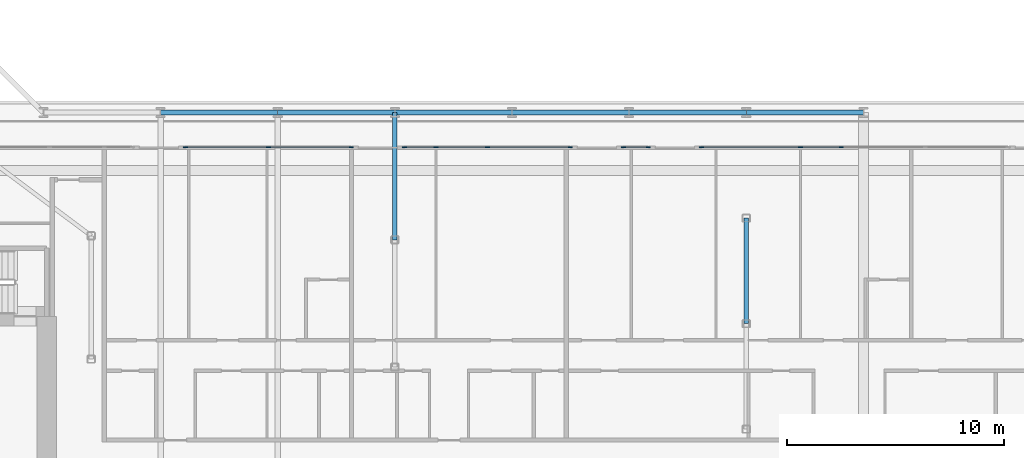
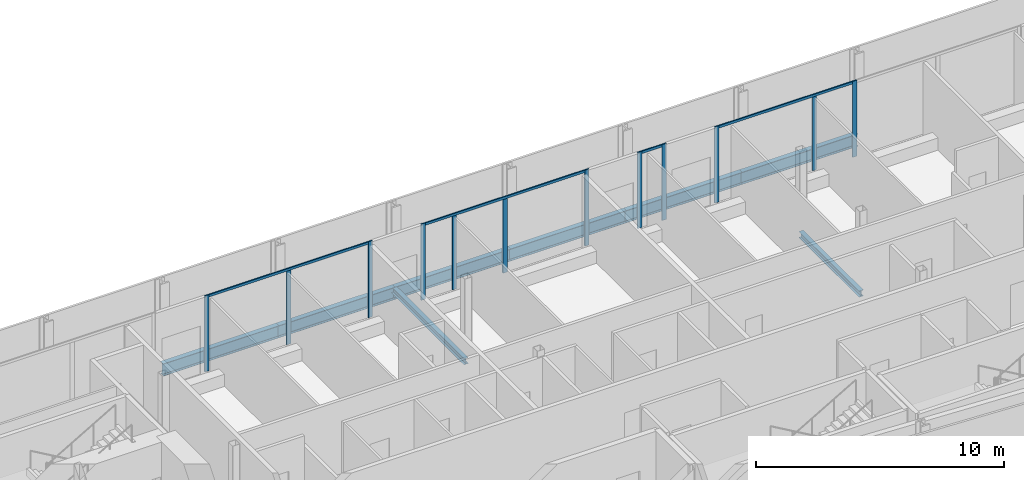
# One storey, part 6 of 27: 16 members, 8 beams, 4 elements without a shape of their own.
"""IFC4 building model written with IfcOpenShell, lengths in metres."""

from ifc_helpers import new_model, si_unit, direction, frame, origin, origin_2d, place, context, subcontext, project, spatial, rectangle, i_section, extrude, material, layer, layer_set, material_profile, profile_set, type_object, element, aggregate, save


model = new_model("IFC4")

# Units and contexts
model_context = context("Model", 3, precision=1e-05, world=origin(), true_north=direction((0.0, 1.0)))
body_context = subcontext(model_context, "Body", "Model", "MODEL_VIEW")
ifc_project = project(units=[si_unit("LENGTHUNIT", "METRE"), si_unit("AREAUNIT", "SQUARE_METRE"), si_unit("VOLUMEUNIT", "CUBIC_METRE"), si_unit("PLANEANGLEUNIT", "RADIAN"), si_unit("MASSUNIT", "GRAM", prefix="KILO")], contexts=[model_context])

# Site, building, storey
site_placement = place(None, origin())
site = spatial("IfcSite", under=ifc_project, at=site_placement, CompositionType="ELEMENT")
building_placement = place(site_placement, origin())
building = spatial("IfcBuilding", under=site, at=building_placement, Name="Kheshtan School and Residences Tower", CompositionType="ELEMENT")
storey_placement = place(building_placement, frame((0.0, 0.0, 98.0)))
storey = spatial("IfcBuildingStorey", under=building, at=storey_placement, Name="L22", CompositionType="ELEMENT", Elevation=98.0)

# Beams
ifc_material_1 = material(Name="Steel ASTM A992 Grade 50", Category="steel")
ifc_material_profile_1 = material_profile(ifc_material_1, i_section(OverallWidth=0.202880859375, OverallDepth=0.302978515625, WebThickness=0.007568359375, FlangeThickness=0.01318359375, FilletRadius=0.009033203125, at=origin_2d()), Name="W310x60")
ifc_profile_set_1 = profile_set([ifc_material_profile_1], Name="Steel ASTM A992 Grade 50")
beam_type_1 = type_object("IfcBeamType", Name="Beam FB1 W310x60 ASTM A992 Grade 50", PredefinedType="BEAM", material=ifc_profile_set_1)
beam_1_placement = place(storey_placement, frame((69.199951171875, 45.60009765625, -0.301513671875), z_axis=(0.0, -1.0, 0.0), x_axis=(1.0, 0.0, 0.0)))
element("IfcBeam", 1, at=beam_1_placement, inside=storey, type_object=beam_type_1, Name="Floor beam C064", PredefinedType="BEAM", context=body_context, shape_type="SweptSolid", body=[
    extrude(i_section(OverallWidth=0.202880859375, OverallDepth=0.302978515625, WebThickness=0.007568359375, FlangeThickness=0.01318359375, FilletRadius=0.009033203125, at=origin_2d()), origin(), (0.0, 0.0, 1.0), 5.8681640625),
])
beam_2_placement = place(storey_placement, frame((85.39990234375, 40.735107421875, -0.301513671875), z_axis=(0.0, -1.0, 0.0), x_axis=(1.0, 0.0, 0.0)))
element("IfcBeam", 2, at=beam_2_placement, inside=storey, type_object=beam_type_1, Name="Floor beam IC", PredefinedType="BEAM", context=body_context, shape_type="SweptSolid", body=[
    extrude(i_section(OverallWidth=0.202880859375, OverallDepth=0.302978515625, WebThickness=0.007568359375, FlangeThickness=0.01318359375, FilletRadius=0.009033203125, at=origin_2d()), origin(), (0.0, 0.0, 1.0), 4.864990234375),
])
ifc_material_profile_2 = material_profile(ifc_material_1, i_section(OverallWidth=0.22802734375, OverallDepth=0.60302734375, WebThickness=0.010498046875, FlangeThickness=0.014892578125, FilletRadius=0.013427734375, at=origin_2d()), Name="W610x101")
ifc_profile_set_2 = profile_set([ifc_material_profile_2], Name="Steel ASTM A992 Grade 50")
beam_type_2 = type_object("IfcBeamType", Name="Beam SP2 W610x101 ASTM A992 Grade 50", PredefinedType="BEAM", material=ifc_profile_set_2)
beam_3_placement = place(storey_placement, frame((58.39990234375, 45.60009765625, -0.451416015625), z_axis=(1.0, 0.0, 0.0), x_axis=(0.0, 1.0, 0.0)))
element("IfcBeam", 3, at=beam_3_placement, inside=storey, type_object=beam_type_2, Name="Spandrel beam C062-C063", PredefinedType="BEAM", context=body_context, shape_type="SweptSolid", body=[
    extrude(i_section(OverallWidth=0.22802734375, OverallDepth=0.60302734375, WebThickness=0.010498046875, FlangeThickness=0.014892578125, FilletRadius=0.013427734375, at=origin_2d()), origin(), (0.0, 0.0, 1.0), 5.400146484375),
])
beam_4_placement = place(storey_placement, frame((63.800048828125, 45.60009765625, -0.451416015625), z_axis=(1.0, 0.0, 0.0), x_axis=(0.0, 1.0, 0.0)))
element("IfcBeam", 4, at=beam_4_placement, inside=storey, type_object=beam_type_2, Name="Spandrel beam C063-C064", PredefinedType="BEAM", context=body_context, shape_type="SweptSolid", body=[
    extrude(i_section(OverallWidth=0.22802734375, OverallDepth=0.60302734375, WebThickness=0.010498046875, FlangeThickness=0.014892578125, FilletRadius=0.013427734375, at=origin_2d()), origin(), (0.0, 0.0, 1.0), 5.39990234375),
])
beam_5_placement = place(storey_placement, frame((69.199951171875, 45.60009765625, -0.451416015625), z_axis=(1.0, 0.0, 0.0), x_axis=(0.0, 1.0, 0.0)))
element("IfcBeam", 5, at=beam_5_placement, inside=storey, type_object=beam_type_2, Name="Spandrel beam C064-C065", PredefinedType="BEAM", context=body_context, shape_type="SweptSolid", body=[
    extrude(i_section(OverallWidth=0.22802734375, OverallDepth=0.60302734375, WebThickness=0.010498046875, FlangeThickness=0.014892578125, FilletRadius=0.013427734375, at=origin_2d()), origin(), (0.0, 0.0, 1.0), 5.400146484375),
])
for number, where, z_axis, x_axis, name in (
    (6, (74.60009765625, 45.60009765625, -0.451416015625), (1.0, 0.0, 0.0), (0.0, 1.0, 0.0), "Spandrel beam C065-C066"),
    (7, (80.0, 45.60009765625, -0.451416015625), (1.0, 0.0, 0.0), (0.0, 1.0, 0.0), "Spandrel beam C066-C067"),
):
    element("IfcBeam", number, at=place(storey_placement, frame(where, z_axis=z_axis, x_axis=x_axis)), inside=storey, type_object=beam_type_2, Name=name, PredefinedType="BEAM", context=body_context, shape_type="SweptSolid", body=[
        extrude(i_section(OverallWidth=0.22802734375, OverallDepth=0.60302734375, WebThickness=0.010498046875, FlangeThickness=0.014892578125, FilletRadius=0.013427734375, at=origin_2d()), origin(), (0.0, 0.0, 1.0), 5.39990234375),
    ])
beam_6_placement = place(storey_placement, frame((85.39990234375, 45.60009765625, -0.451416015625), z_axis=(1.0, 0.0, 0.0), x_axis=(0.0, 1.0, 0.0)))
element("IfcBeam", 8, at=beam_6_placement, inside=storey, type_object=beam_type_2, Name="Spandrel beam C067-C068", PredefinedType="BEAM", context=body_context, shape_type="SweptSolid", body=[
    extrude(i_section(OverallWidth=0.22802734375, OverallDepth=0.60302734375, WebThickness=0.010498046875, FlangeThickness=0.014892578125, FilletRadius=0.013427734375, at=origin_2d()), origin(), (0.0, 0.0, 1.0), 5.400146484375),
])

# Curtain wall, members
ifc_material_2 = material(Name="Clear low-e glass in thermally broken aluminium frame", Category="aluminium")
ifc_layer = layer(ifc_material_2, 0.199951171875)
ifc_layer_set = layer_set([ifc_layer], Name="Curtain wall CW-L")
curtain_wall_type = type_object("IfcCurtainWallType", Name="Curtain wall CW-L", PredefinedType="NOTDEFINED", material=ifc_layer_set)
curtain_wall_1_placement = place(storey_placement, origin())
curtain_wall_1 = element("IfcCurtainWall", 9, at=curtain_wall_1_placement, inside=storey, type_object=curtain_wall_type, Name="Curtain wall CWL8", PredefinedType="NOTDEFINED")
ifc_material_3 = material(Name="Thermally broken aluminium, dark bronze anodised", Category="aluminium")
ifc_material_profile_3 = material_profile(ifc_material_3, rectangle(XDim=0.06005859375, YDim=0.199951171875, at=origin_2d()), Name="CW-L mullion 60x200")
ifc_profile_set_3 = profile_set([ifc_material_profile_3], Name="Thermally broken aluminium, dark bronze anodised")
member_type_1 = type_object("IfcMemberType", Name="CW-L mullion 60x200", PredefinedType="MULLION", material=ifc_profile_set_3)
member_1_placement = place(storey_placement, frame((59.553955078125, 44.0, 0.0), z_axis=(0.0, 0.0, 1.0), x_axis=(0.0, 1.0, 0.0)))
member_1 = element("IfcMember", 10, at=member_1_placement, type_object=member_type_1, Name="CWL8 mullion 1", PredefinedType="MULLION", context=body_context, shape_type="SweptSolid", body=[
    extrude(rectangle(XDim=0.06005859375, YDim=0.199951171875, at=origin_2d()), origin(), (0.0, 0.0, 1.0), 3.75),
])
member_2_placement = place(storey_placement, frame((63.37109375, 44.0, 0.0), z_axis=(0.0, 0.0, 1.0), x_axis=(0.0, 1.0, 0.0)))
member_2 = element("IfcMember", 11, at=member_2_placement, type_object=member_type_1, Name="CWL8 mullion 2", PredefinedType="MULLION", context=body_context, shape_type="SweptSolid", body=[
    extrude(rectangle(XDim=0.06005859375, YDim=0.199951171875, at=origin_2d()), origin(), (0.0, 0.0, 1.0), 3.6298828125),
])
member_3_placement = place(storey_placement, frame((67.18798828125, 44.0, 0.0), z_axis=(0.0, 0.0, 1.0), x_axis=(0.0, 1.0, 0.0)))
member_3 = element("IfcMember", 12, at=member_3_placement, type_object=member_type_1, Name="CWL8 mullion 3", PredefinedType="MULLION", context=body_context, shape_type="SweptSolid", body=[
    extrude(rectangle(XDim=0.06005859375, YDim=0.199951171875, at=origin_2d()), origin(), (0.0, 0.0, 1.0), 3.75),
])

curtain_wall_2_placement = place(storey_placement, origin())
curtain_wall_2 = element("IfcCurtainWall", 13, at=curtain_wall_2_placement, inside=storey, type_object=curtain_wall_type, Name="Curtain wall CWL8c", PredefinedType="NOTDEFINED")
member_4_placement = place(storey_placement, frame((69.64794921875, 44.0, 0.0), z_axis=(0.0, 0.0, 1.0), x_axis=(0.0, 1.0, 0.0)))
member_4 = element("IfcMember", 14, at=member_4_placement, type_object=member_type_1, Name="CWL8c mullion 1", PredefinedType="MULLION", context=body_context, shape_type="SweptSolid", body=[
    extrude(rectangle(XDim=0.06005859375, YDim=0.199951171875, at=origin_2d()), origin(), (0.0, 0.0, 1.0), 3.75),
])
member_5_placement = place(storey_placement, frame((71.10009765625, 44.0, 0.0), z_axis=(0.0, 0.0, 1.0), x_axis=(0.0, 1.0, 0.0)))
member_5 = element("IfcMember", 15, at=member_5_placement, type_object=member_type_1, Name="CWL8c mullion 2", PredefinedType="MULLION", context=body_context, shape_type="SweptSolid", body=[
    extrude(rectangle(XDim=0.06005859375, YDim=0.199951171875, at=origin_2d()), origin(), (0.0, 0.0, 1.0), 3.6298828125),
])
member_6_placement = place(storey_placement, frame((73.465087890625, 44.0, 0.0), z_axis=(0.0, 0.0, 1.0), x_axis=(0.0, 1.0, 0.0)))
member_6 = element("IfcMember", 16, at=member_6_placement, type_object=member_type_1, Name="CWL8c mullion 3", PredefinedType="MULLION", context=body_context, shape_type="SweptSolid", body=[
    extrude(rectangle(XDim=0.06005859375, YDim=0.199951171875, at=origin_2d()), origin(), (0.0, 0.0, 1.0), 3.6298828125),
])
member_7_placement = place(storey_placement, frame((77.281982421875, 44.0, 0.0), z_axis=(0.0, 0.0, 1.0), x_axis=(0.0, 1.0, 0.0)))
member_7 = element("IfcMember", 17, at=member_7_placement, type_object=member_type_1, Name="CWL8c mullion 4", PredefinedType="MULLION", context=body_context, shape_type="SweptSolid", body=[
    extrude(rectangle(XDim=0.06005859375, YDim=0.199951171875, at=origin_2d()), origin(), (0.0, 0.0, 1.0), 3.75),
])

curtain_wall_3_placement = place(storey_placement, origin())
curtain_wall_3 = element("IfcCurtainWall", 18, at=curtain_wall_3_placement, inside=storey, type_object=curtain_wall_type, Name="Curtain wall CWL8g", PredefinedType="NOTDEFINED")
member_8_placement = place(storey_placement, frame((79.741943359375, 44.0, 0.0), z_axis=(0.0, 0.0, 1.0), x_axis=(0.0, 1.0, 0.0)))
member_8 = element("IfcMember", 19, at=member_8_placement, type_object=member_type_1, Name="CWL8g mullion 1", PredefinedType="MULLION", context=body_context, shape_type="SweptSolid", body=[
    extrude(rectangle(XDim=0.06005859375, YDim=0.199951171875, at=origin_2d()), origin(), (0.0, 0.0, 1.0), 3.75),
])
member_9_placement = place(storey_placement, frame((80.882080078125, 44.0, 0.0), z_axis=(0.0, 0.0, 1.0), x_axis=(0.0, 1.0, 0.0)))
member_9 = element("IfcMember", 20, at=member_9_placement, type_object=member_type_1, Name="CWL8g mullion 2", PredefinedType="MULLION", context=body_context, shape_type="SweptSolid", body=[
    extrude(rectangle(XDim=0.06005859375, YDim=0.199951171875, at=origin_2d()), origin(), (0.0, 0.0, 1.0), 3.75),
])

curtain_wall_4_placement = place(storey_placement, origin())
curtain_wall_4 = element("IfcCurtainWall", 21, at=curtain_wall_4_placement, inside=storey, type_object=curtain_wall_type, Name="Curtain wall CWL8k", PredefinedType="NOTDEFINED")
member_10_placement = place(storey_placement, frame((83.342041015625, 44.0, 0.0), z_axis=(0.0, 0.0, 1.0), x_axis=(0.0, 1.0, 0.0)))
member_10 = element("IfcMember", 22, at=member_10_placement, type_object=member_type_1, Name="CWL8k mullion 1", PredefinedType="MULLION", context=body_context, shape_type="SweptSolid", body=[
    extrude(rectangle(XDim=0.06005859375, YDim=0.199951171875, at=origin_2d()), origin(), (0.0, 0.0, 1.0), 3.75),
])
member_11_placement = place(storey_placement, frame((87.89990234375, 44.0, 0.0), z_axis=(0.0, 0.0, 1.0), x_axis=(0.0, 1.0, 0.0)))
member_11 = element("IfcMember", 23, at=member_11_placement, type_object=member_type_1, Name="CWL8k mullion 2", PredefinedType="MULLION", context=body_context, shape_type="SweptSolid", body=[
    extrude(rectangle(XDim=0.06005859375, YDim=0.199951171875, at=origin_2d()), origin(), (0.0, 0.0, 1.0), 3.6298828125),
])
member_12_placement = place(storey_placement, frame((89.77587890625, 44.0, 0.0), z_axis=(0.0, 0.0, 1.0), x_axis=(0.0, 1.0, 0.0)))
member_12 = element("IfcMember", 24, at=member_12_placement, type_object=member_type_1, Name="CWL8k mullion 3", PredefinedType="MULLION", context=body_context, shape_type="SweptSolid", body=[
    extrude(rectangle(XDim=0.06005859375, YDim=0.199951171875, at=origin_2d()), origin(), (0.0, 0.0, 1.0), 3.75),
])

# Member
ifc_material_profile_4 = material_profile(ifc_material_3, rectangle(XDim=0.06005859375, YDim=0.1201171875, at=origin_2d()), Name="CW-L transom 60x120")
ifc_profile_set_4 = profile_set([ifc_material_profile_4], Name="Thermally broken aluminium, dark bronze anodised")
member_type_2 = type_object("IfcMemberType", Name="CW-L transom 60x120", PredefinedType="USERDEFINED", material=ifc_profile_set_4)
member_13_placement = place(storey_placement, frame((59.583984375, 44.0, 3.68994140625), z_axis=(1.0, 0.0, 0.0), x_axis=(0.0, 1.0, 0.0)))
member_13 = element("IfcMember", 25, at=member_13_placement, type_object=member_type_2, Name="CWL8 transom 1", ObjectType="TRANSOM", PredefinedType="USERDEFINED", context=body_context, shape_type="SweptSolid", body=[
    extrude(rectangle(XDim=0.06005859375, YDim=0.1201171875, at=origin_2d()), origin(), (0.0, 0.0, 1.0), 7.573974609375),
])

aggregate(curtain_wall_1, [member_1, member_2, member_3, member_13])

member_14_placement = place(storey_placement, frame((69.677978515625, 44.0, 3.68994140625), z_axis=(1.0, 0.0, 0.0), x_axis=(0.0, 1.0, 0.0)))
member_14 = element("IfcMember", 26, at=member_14_placement, type_object=member_type_2, Name="CWL8c transom 1", ObjectType="TRANSOM", PredefinedType="USERDEFINED", context=body_context, shape_type="SweptSolid", body=[
    extrude(rectangle(XDim=0.06005859375, YDim=0.1201171875, at=origin_2d()), origin(), (0.0, 0.0, 1.0), 7.573974609375),
])

aggregate(curtain_wall_2, [member_4, member_5, member_6, member_7, member_14])

member_15_placement = place(storey_placement, frame((79.77197265625, 44.0, 3.68994140625), z_axis=(1.0, 0.0, 0.0), x_axis=(0.0, 1.0, 0.0)))
member_15 = element("IfcMember", 27, at=member_15_placement, type_object=member_type_2, Name="CWL8g transom 1", ObjectType="TRANSOM", PredefinedType="USERDEFINED", context=body_context, shape_type="SweptSolid", body=[
    extrude(rectangle(XDim=0.06005859375, YDim=0.1201171875, at=origin_2d()), origin(), (0.0, 0.0, 1.0), 1.080078125),
])

aggregate(curtain_wall_3, [member_8, member_9, member_15])

member_16_placement = place(storey_placement, frame((83.3720703125, 44.0, 3.68994140625), z_axis=(1.0, 0.0, 0.0), x_axis=(0.0, 1.0, 0.0)))
member_16 = element("IfcMember", 28, at=member_16_placement, type_object=member_type_2, Name="CWL8k transom 1", ObjectType="TRANSOM", PredefinedType="USERDEFINED", context=body_context, shape_type="SweptSolid", body=[
    extrude(rectangle(XDim=0.06005859375, YDim=0.1201171875, at=origin_2d()), origin(), (0.0, 0.0, 1.0), 6.3740234375),
])

aggregate(curtain_wall_4, [member_10, member_11, member_12, member_16])

save(model, "model.ifc")
